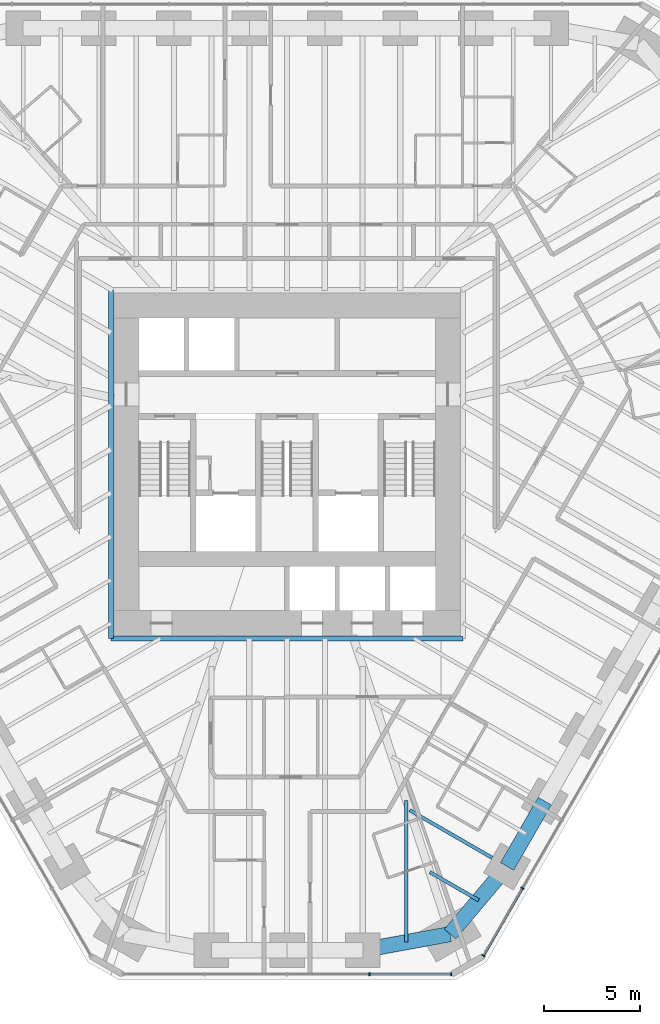
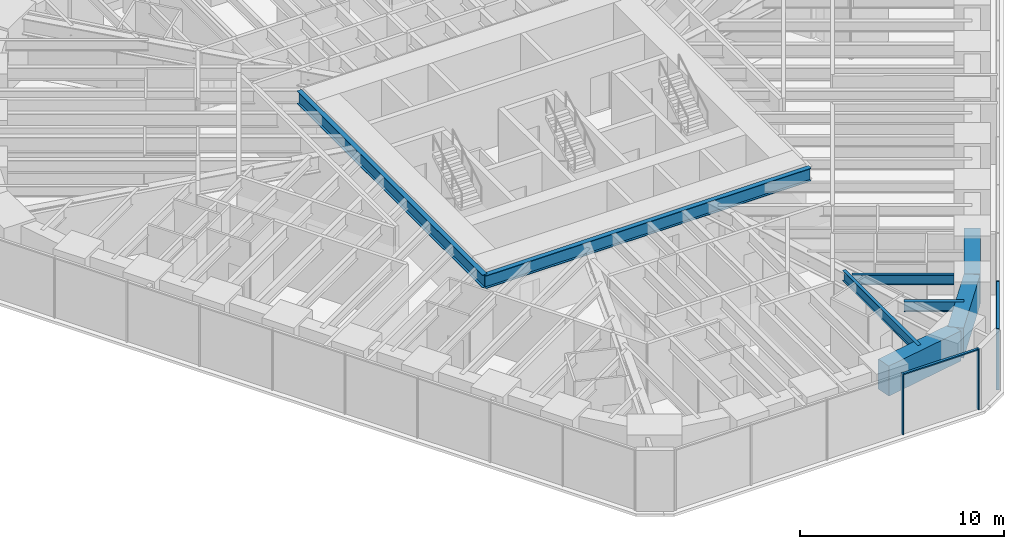
# One storey, part 4 of 17: 8 beams, 6 members, 2 elements without a shape of their own.
"""IFC4 building model written with IfcOpenShell, lengths in metres."""

from ifc_helpers import new_model, si_unit, direction, frame, origin, origin_2d, place, context, subcontext, project, spatial, rectangle, i_section, extrude, material, material_profile, profile_set, type_object, element, aggregate, save


model = new_model("IFC4")

# Units and contexts
model_context = context("Model", 3, precision=1e-05, world=origin(), true_north=direction((0.0, 1.0)))
body_context = subcontext(model_context, "Body", "Model", "MODEL_VIEW")
ifc_project = project(units=[si_unit("LENGTHUNIT", "METRE"), si_unit("AREAUNIT", "SQUARE_METRE"), si_unit("VOLUMEUNIT", "CUBIC_METRE"), si_unit("PLANEANGLEUNIT", "RADIAN"), si_unit("MASSUNIT", "GRAM", prefix="KILO")], contexts=[model_context])

# Site, building, storey
site_placement = place(None, origin())
site = spatial("IfcSite", under=ifc_project, at=site_placement, CompositionType="ELEMENT")
building_placement = place(site_placement, origin())
building = spatial("IfcBuilding", under=site, at=building_placement, Name="Sandreach Pilgrim Tower", CompositionType="ELEMENT")
storey_placement = place(building_placement, frame((0.0, 0.0, 104.39990234375)))
storey = spatial("IfcBuildingStorey", under=building, at=storey_placement, Name="L25", CompositionType="ELEMENT", Elevation=104.39990234375)

# Curtain wall, members
ifc_material_1 = material(Name="Aluminium framed curtain wall", Category="aluminium")
curtain_wall_type = type_object("IfcCurtainWallType", Name="Hotel tower curtain wall", PredefinedType="NOTDEFINED", material=ifc_material_1)
curtain_wall_1_placement = place(storey_placement, origin())
curtain_wall_1 = element("IfcCurtainWall", 1, at=curtain_wall_1_placement, inside=storey, type_object=curtain_wall_type, Name="CW-2 L25 SE", PredefinedType="NOTDEFINED")
ifc_material_2 = material(Name="Aluminium extrusion", Category="aluminium")
ifc_material_profile_1 = material_profile(ifc_material_2, rectangle(XDim=0.06494140625, YDim=0.179931640625, at=origin_2d()), Name="CW-2M 65X180")
ifc_profile_set_1 = profile_set([ifc_material_profile_1], Name="Aluminium extrusion")
member_type_1 = type_object("IfcMemberType", Name="CW-2 mullion", PredefinedType="MULLION", material=ifc_profile_set_1)
member_1_placement = place(storey_placement, frame((12.29296875, -23.695556640625, 0.0), z_axis=(0.0, 0.0, 1.0), x_axis=(-0.5, -0.866025403784, 0.0)))
member_1 = element("IfcMember", 2, at=member_1_placement, type_object=member_type_1, Name="CW-2 mullion 9", PredefinedType="MULLION", context=body_context, shape_type="SweptSolid", body=[
    extrude(rectangle(XDim=0.06494140625, YDim=0.179931640625, at=origin_2d()), origin(), (0.0, 0.0, 1.0), 3.64013671875),
])
member_2_placement = place(storey_placement, frame((10.255859375, -27.22412109375, 0.0), z_axis=(0.0, 0.0, 1.0), x_axis=(-0.5, -0.866025403784, 0.0)))
member_2 = element("IfcMember", 3, at=member_2_placement, type_object=member_type_1, Name="CW-2 mullion 10", PredefinedType="MULLION", context=body_context, shape_type="SweptSolid", body=[
    extrude(rectangle(XDim=0.06494140625, YDim=0.179931640625, at=origin_2d()), origin(), (0.0, 0.0, 1.0), 3.64013671875),
])

curtain_wall_2_placement = place(storey_placement, origin())
curtain_wall_2 = element("IfcCurtainWall", 4, at=curtain_wall_2_placement, inside=storey, type_object=curtain_wall_type, Name="CW-2 L25 S", PredefinedType="NOTDEFINED")
member_3_placement = place(storey_placement, frame((8.578857421875, -28.192138671875, 0.0), z_axis=(0.0, 0.0, 1.0), x_axis=(-1.0, 0.0, 0.0)))
member_3 = element("IfcMember", 5, at=member_3_placement, type_object=member_type_1, Name="CW-2 mullion 1", PredefinedType="MULLION", context=body_context, shape_type="SweptSolid", body=[
    extrude(rectangle(XDim=0.06494140625, YDim=0.179931640625, at=origin_2d()), origin(), (0.0, 0.0, 1.0), 3.64013671875),
])
member_4_placement = place(storey_placement, frame((4.3056640625, -28.192138671875, 0.0), z_axis=(0.0, 0.0, 1.0), x_axis=(-1.0, 0.0, 0.0)))
member_4 = element("IfcMember", 6, at=member_4_placement, type_object=member_type_1, Name="CW-2 mullion 2", PredefinedType="MULLION", context=body_context, shape_type="SweptSolid", body=[
    extrude(rectangle(XDim=0.06494140625, YDim=0.179931640625, at=origin_2d()), origin(), (0.0, 0.0, 1.0), 3.64013671875),
])

# Member
ifc_material_3 = material(Name="Aluminium extrusion", Category="aluminium")
ifc_material_profile_2 = material_profile(ifc_material_3, rectangle(XDim=0.139892578125, YDim=0.070068359375, at=origin_2d()), Name="CW-2T 140X70")
ifc_profile_set_2 = profile_set([ifc_material_profile_2], Name="Aluminium extrusion")
member_type_2 = type_object("IfcMemberType", Name="CW-2 transom", PredefinedType="USERDEFINED", material=ifc_profile_set_2)
member_5_placement = place(storey_placement, frame((12.27685546875, -23.7236328125, 3.60498046875), z_axis=(-0.500015851672, -0.866016251624, 0.0), x_axis=(0.866016251624, -0.500015851672, 0.0)))
member_5 = element("IfcMember", 7, at=member_5_placement, type_object=member_type_2, Name="CW-2 head transom 9", ObjectType="TRANSOM", PredefinedType="USERDEFINED", context=body_context, shape_type="SweptSolid", body=[
    extrude(rectangle(XDim=0.139892578125, YDim=0.070068359375, at=origin_2d()), origin(), (0.0, 0.0, 1.0), 4.009521484375),
])

aggregate(curtain_wall_1, [member_1, member_2, member_5])

member_6_placement = place(storey_placement, frame((8.54638671875, -28.192138671875, 3.60498046875), z_axis=(-1.0, 0.0, 0.0), x_axis=(0.0, -1.0, 0.0)))
member_6 = element("IfcMember", 8, at=member_6_placement, type_object=member_type_2, Name="CW-2 head transom 1", ObjectType="TRANSOM", PredefinedType="USERDEFINED", context=body_context, shape_type="SweptSolid", body=[
    extrude(rectangle(XDim=0.139892578125, YDim=0.070068359375, at=origin_2d()), origin(), (0.0, 0.0, 1.0), 4.208251953125),
])

aggregate(curtain_wall_2, [member_3, member_4, member_6])

# Beams
ifc_material_4 = material(Name="Steel ASTM A992 Grade 50", Category="steel")
ifc_material_profile_3 = material_profile(ifc_material_4, i_section(OverallWidth=0.2666015625, OverallDepth=0.77978515625, WebThickness=0.0166015625, FlangeThickness=0.030029296875, at=origin_2d()), Name="W30X148")
ifc_profile_set_3 = profile_set([ifc_material_profile_3], Name="Steel ASTM A992 Grade 50")
beam_type_1 = type_object("IfcBeamType", Name="Core edge beam W30X148", PredefinedType="BEAM", material=ifc_profile_set_3)
beam_1_placement = place(storey_placement, frame((9.193359375, -10.643310546875, 3.250244140625), z_axis=(-1.0, 0.0, 0.0), x_axis=(0.0, -1.0, 0.0)))
element("IfcBeam", 9, at=beam_1_placement, inside=storey, type_object=beam_type_1, Name="BM L25 CES", PredefinedType="BEAM", context=body_context, shape_type="SweptSolid", body=[
    extrude(i_section(OverallWidth=0.2666015625, OverallDepth=0.77978515625, WebThickness=0.0166015625, FlangeThickness=0.030029296875, at=origin_2d()), origin(), (0.0, 0.0, 1.0), 18.38671875),
])
beam_2_placement = place(storey_placement, frame((-9.193359375, -10.643310546875, 3.250244140625), z_axis=(0.0, 1.0, 0.0), x_axis=(-1.0, 0.0, 0.0)))
element("IfcBeam", 10, at=beam_2_placement, inside=storey, type_object=beam_type_1, Name="BM L25 CEW", PredefinedType="BEAM", context=body_context, shape_type="SweptSolid", body=[
    extrude(i_section(OverallWidth=0.2666015625, OverallDepth=0.77978515625, WebThickness=0.0166015625, FlangeThickness=0.030029296875, at=origin_2d()), origin(), (0.0, 0.0, 1.0), 18.186767578125),
])
ifc_material_5 = material(Name="Steel ASTM A992 Grade 50", Category="steel")
ifc_material_profile_4 = material_profile(ifc_material_5, i_section(OverallWidth=0.1787109375, OverallDepth=0.60205078125, WebThickness=0.010986328125, FlangeThickness=0.014892578125, at=origin_2d()), Name="W24X62")
ifc_profile_set_4 = profile_set([ifc_material_profile_4], Name="Steel ASTM A992 Grade 50")
beam_type_2 = type_object("IfcBeamType", Name="Floor beam W24X62", PredefinedType="BEAM", material=ifc_profile_set_4)
beam_3_placement = place(storey_placement, frame((10.714599609375, -22.109130859375, 3.339111328125), z_axis=(-0.866024645457, 0.500001313459, 0.0), x_axis=(-0.500001313459, -0.866024645457, 0.0)))
element("IfcBeam", 11, at=beam_3_placement, inside=storey, type_object=beam_type_2, Name="BM L25 F21", PredefinedType="BEAM", context=body_context, shape_type="SweptSolid", body=[
    extrude(i_section(OverallWidth=0.1787109375, OverallDepth=0.60205078125, WebThickness=0.010986328125, FlangeThickness=0.014892578125, at=origin_2d()), origin(), (0.0, 0.0, 1.0), 4.9765625),
])
beam_4_placement = place(storey_placement, frame((10.006103515625, -24.326904296875, 3.339111328125), z_axis=(-0.866015396618, 0.500017332519, 0.0), x_axis=(-0.500017332519, -0.866015396618, 0.0)))
element("IfcBeam", 12, at=beam_4_placement, inside=storey, type_object=beam_type_2, Name="BM L25 FM21", PredefinedType="BEAM", context=body_context, shape_type="SweptSolid", body=[
    extrude(i_section(OverallWidth=0.1787109375, OverallDepth=0.60205078125, WebThickness=0.010986328125, FlangeThickness=0.014892578125, at=origin_2d()), origin(), (0.0, 0.0, 1.0), 2.9384765625),
])
beam_5_placement = place(storey_placement, frame((6.236572265625, -26.51318359375, 3.339111328125), z_axis=(0.0, 1.0, 0.0), x_axis=(-1.0, 0.0, 0.0)))
element("IfcBeam", 13, at=beam_5_placement, inside=storey, type_object=beam_type_2, Name="BM L25 FM22", PredefinedType="BEAM", context=body_context, shape_type="SweptSolid", body=[
    extrude(i_section(OverallWidth=0.1787109375, OverallDepth=0.60205078125, WebThickness=0.010986328125, FlangeThickness=0.014892578125, at=origin_2d()), origin(), (0.0, 0.0, 1.0), 7.40771484375),
])
ifc_material_6 = material(Name="Concrete 10000 psi", Category="concrete")
ifc_material_profile_5 = material_profile(ifc_material_6, rectangle(XDim=0.800048828125, YDim=1.800048828125, at=origin_2d()), Name="RC800X1800")
ifc_profile_set_5 = profile_set([ifc_material_profile_5], Name="Concrete 10000 psi")
beam_type_3 = type_object("IfcBeamType", Name="Spandrel beam RC800X1800", PredefinedType="SPANDREL", material=ifc_profile_set_5)
beam_6_placement = place(storey_placement, frame((13.464111328125, -19.147216796875, 2.739990234375), z_axis=(-0.49999779889, -0.866026674592, 0.0), x_axis=(0.866026674592, -0.49999779889, 0.0)))
element("IfcBeam", 14, at=beam_6_placement, inside=storey, type_object=beam_type_3, Name="BM L25 SP20", PredefinedType="SPANDREL", context=body_context, shape_type="SweptSolid", body=[
    extrude(rectangle(XDim=0.800048828125, YDim=1.800048828125, at=origin_2d()), origin(), (0.0, 0.0, 1.0), 3.93994140625),
])
beam_7_placement = place(storey_placement, frame((11.494140625, -22.559326171875, 2.739990234375), z_axis=(-0.644078801547, -0.764959147535, 0.0), x_axis=(0.764959147535, -0.644078801547, 0.0)))
element("IfcBeam", 15, at=beam_7_placement, inside=storey, type_object=beam_type_3, Name="BM L25 SP21", PredefinedType="SPANDREL", context=body_context, shape_type="SweptSolid", body=[
    extrude(rectangle(XDim=0.800048828125, YDim=1.800048828125, at=origin_2d()), origin(), (0.0, 0.0, 1.0), 4.62109375),
])
beam_8_placement = place(storey_placement, frame((8.517822265625, -26.09423828125, 2.739990234375), z_axis=(-0.983551746136, -0.180626583516, 0.0), x_axis=(0.180626583516, -0.983551746136, 0.0)))
element("IfcBeam", 16, at=beam_8_placement, inside=storey, type_object=beam_type_3, Name="BM L25 SP22", PredefinedType="SPANDREL", context=body_context, shape_type="SweptSolid", body=[
    extrude(rectangle(XDim=0.800048828125, YDim=1.800048828125, at=origin_2d()), origin(), (0.0, 0.0, 1.0), 4.638916015625),
])

save(model, "model.ifc")
